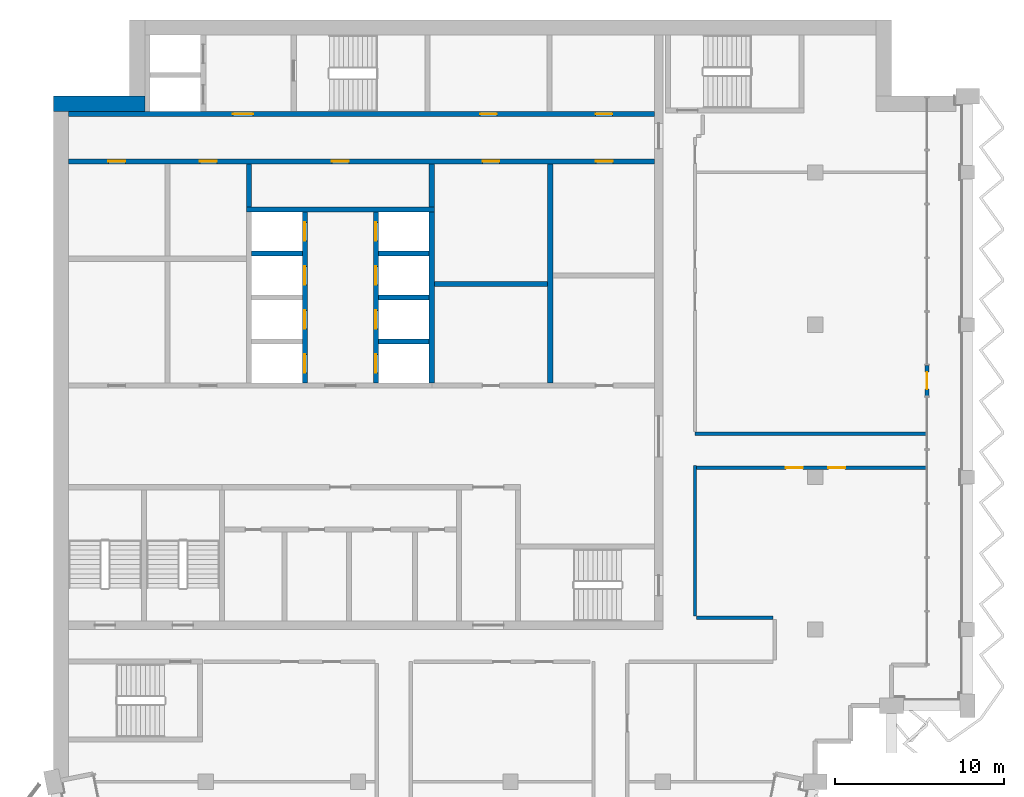
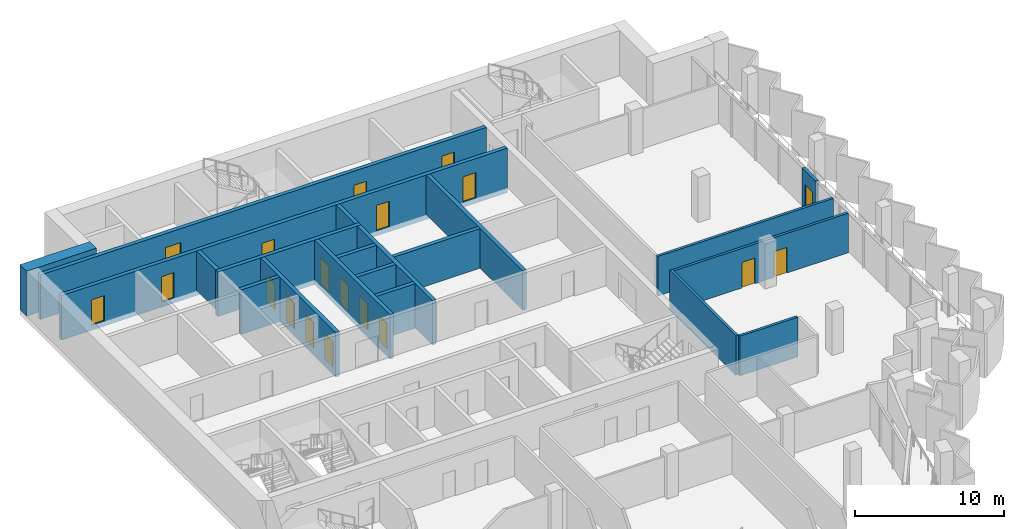
# One storey, part 7 of 13: 20 walls, 19 doors, 19 openings.
"""IFC4 building model written with IfcOpenShell, lengths in metres."""

from ifc_helpers import new_model, si_unit, direction, frame, frame_2d, origin, place, context, subcontext, project, spatial, rectangle, extrude, material, layer, layer_set, type_object, element, fill, save


model = new_model("IFC4")

# Units and contexts
model_context = context("Model", 3, precision=1e-05, world=origin(), true_north=direction((0.0, 1.0)))
body_context = subcontext(model_context, "Body", "Model", "MODEL_VIEW")
ifc_project = project(units=[si_unit("LENGTHUNIT", "METRE"), si_unit("AREAUNIT", "SQUARE_METRE"), si_unit("VOLUMEUNIT", "CUBIC_METRE"), si_unit("PLANEANGLEUNIT", "RADIAN"), si_unit("MASSUNIT", "GRAM", prefix="KILO")], contexts=[model_context])

# Site, building, storey
site_placement = place(None, origin())
site = spatial("IfcSite", under=ifc_project, at=site_placement, CompositionType="ELEMENT")
building_placement = place(site_placement, origin())
building = spatial("IfcBuilding", under=site, at=building_placement, Name="Hunhe Ridgeline Campus", CompositionType="ELEMENT")
storey_placement = place(building_placement, frame((0.0, 0.0, 299.300048828125)))
storey = spatial("IfcBuildingStorey", under=building, at=storey_placement, Name="L77", CompositionType="ELEMENT", Elevation=299.300048828125)

# Walls
ifc_material_1 = material(Name="Masonry concrete blockwork", Category="masonry")
ifc_layer_1 = layer(ifc_material_1, 0.300048828125)
ifc_layer_set_1 = layer_set([ifc_layer_1], Name="Core room partition 300 concrete block")
wall_type_1 = type_object("IfcWallType", Name="Core room partition 300 concrete block", PredefinedType="PARTITIONING", material=ifc_layer_set_1)
wall_1_placement = place(storey_placement, frame((22.5, 83.39990234375, 0.0), z_axis=(0.0, 0.0, 1.0), x_axis=(1.0, 0.0, 0.0)))
element("IfcWall", 1, at=wall_1_placement, inside=storey, type_object=wall_type_1, Name="L77 core partition 14", PredefinedType="PARTITIONING", context=body_context, shape_type="SweptSolid", body=[
    extrude(rectangle(XDim=6.699951171875, YDim=0.300048828125, at=frame_2d((3.35009765625, 0.0))), origin(), (0.0, 0.0, 1.0), 3.25),
])
for number, where, z_axis, x_axis, name in (
    (2, (11.550048828125, 87.949951171875, 0.0), (0.0, 0.0, 1.0), (0.0, 1.0, 0.0), "L77 core partition 31"),
    (3, (22.35009765625, 87.949951171875, 0.0), (0.0, 0.0, 1.0), (0.0, 1.0, 0.0), "L77 core partition 40"),
):
    element("IfcWall", number, at=place(storey_placement, frame(where, z_axis=z_axis, x_axis=x_axis)), inside=storey, type_object=wall_type_1, Name=name, PredefinedType="PARTITIONING", context=body_context, shape_type="SweptSolid", body=[
        extrude(rectangle(XDim=2.550048828125, YDim=0.300048828125, at=frame_2d((1.27490234375, 0.0))), origin(), (0.0, 0.0, 1.0), 3.25),
    ])
wall_2_placement = place(storey_placement, frame((29.35009765625, 77.550048828125, 0.0), z_axis=(0.0, 0.0, 1.0), x_axis=(0.0, 1.0, 0.0)))
element("IfcWall", 4, at=wall_2_placement, inside=storey, type_object=wall_type_1, Name="L77 core partition 45", PredefinedType="PARTITIONING", context=body_context, shape_type="SweptSolid", body=[
    extrude(rectangle(XDim=12.949951171875, YDim=0.300048828125, at=frame_2d((6.47509765625, 0.0))), origin(), (0.0, 0.0, 1.0), 3.25),
])
ifc_material_2 = material(Name="Gypsum board partition")
ifc_layer_2 = layer(ifc_material_2, 0.199951171875)
ifc_layer_set_2 = layer_set([ifc_layer_2], Name="Corridor partition 200 gypsum board on steel studs")
wall_type_2 = type_object("IfcWallType", Name="Corridor partition 200 gypsum board on steel studs", PredefinedType="PARTITIONING", material=ifc_layer_set_2)
wall_3_placement = place(storey_placement, frame((38.0, 63.699951171875, 0.0), z_axis=(0.0, 0.0, 1.0), x_axis=(1.0, 0.0, 0.0)))
element("IfcWall", 5, at=wall_3_placement, inside=storey, type_object=wall_type_2, Name="F-L77-wall-011", PredefinedType="PARTITIONING", context=body_context, shape_type="SweptSolid", body=[
    extrude(rectangle(XDim=4.5, YDim=0.199951171875, at=frame_2d((2.25, 0.0))), origin(), (0.0, 0.0, 1.0), 3.25),
])

# Wall, openings, doors
wall_4_placement = place(storey_placement, frame((51.544921875, 72.550048828125, 0.0), z_axis=(0.0, 0.0, 1.0), x_axis=(-1.0, 0.0, 0.0)))
wall_4 = element("IfcWall", 6, at=wall_4_placement, inside=storey, type_object=wall_type_2, Name="F-L77-wall-012", PredefinedType="PARTITIONING", context=body_context, shape_type="SweptSolid", body=[
    extrude(rectangle(XDim=13.544921875, YDim=0.199951171875, at=frame_2d((6.7724609375, 0.0))), origin(), (0.0, 0.0, 1.0), 3.25),
])
opening_1_placement = place(wall_4_placement, frame((7.2724609375, 0.0, 0.0)))
opening_1 = element("IfcOpeningElement", 7, at=opening_1_placement, cuts=wall_4, Name="Opening RD1-012", PredefinedType="OPENING", context=body_context, shape_type="SweptSolid", body=[
    extrude(rectangle(XDim=1.0, YDim=2.10009765625, at=frame_2d((0.5, 1.050048828125))), frame((0.0, 0.10009765625, 0.0), z_axis=(0.0, -1.0, 0.0), x_axis=(1.0, 0.0, 0.0)), (0.0, 0.0, 1.0), 0.199951171875),
])
opening_2_placement = place(wall_4_placement, frame((4.7724609375, 0.0, 0.0)))
opening_2 = element("IfcOpeningElement", 8, at=opening_2_placement, cuts=wall_4, Name="Opening RD1-013", PredefinedType="OPENING", context=body_context, shape_type="SweptSolid", body=[
    extrude(rectangle(XDim=1.0, YDim=2.10009765625, at=frame_2d((0.5, 1.050048828125))), frame((0.0, 0.10009765625, 0.0), z_axis=(0.0, -1.0, 0.0), x_axis=(1.0, 0.0, 0.0)), (0.0, 0.0, 1.0), 0.199951171875),
])
ifc_material_3 = material(Name="Timber door leaf", Category="wood")
door_type_1 = type_object("IfcDoorType", Name="Single fire door 1000x2100 timber FD60", OperationType="NOTDEFINED", PredefinedType="DOOR", material=ifc_material_3)
door_1_placement = place(opening_1_placement, frame((1.0, 0.0, 0.0), z_axis=(0.0, 0.0, 1.0), x_axis=(-1.0, 0.0, 0.0)))
door_1 = element("IfcDoor", 9, at=door_1_placement, inside=storey, type_object=door_type_1, Name="F-L77-door-012", OperationType="SINGLE_SWING_LEFT", OverallHeight=2.10009765625, OverallWidth=1.0, PredefinedType="DOOR", context=body_context, shape_type="SweptSolid", body=[
    extrude(rectangle(XDim=1.0, YDim=2.10009765625, at=frame_2d((0.5, 1.050048828125))), frame((0.0, 0.02490234375, 0.0), z_axis=(0.0, -1.0, 0.0), x_axis=(1.0, 0.0, 0.0)), (0.0, 0.0, 1.0), 0.050048828125),
])
fill(opening_1, door_1)
door_2_placement = place(opening_2_placement, frame((1.0, 0.0, 0.0), z_axis=(0.0, 0.0, 1.0), x_axis=(-1.0, 0.0, 0.0)))
door_2 = element("IfcDoor", 10, at=door_2_placement, inside=storey, type_object=door_type_1, Name="F-L77-door-013", OperationType="SINGLE_SWING_RIGHT", OverallHeight=2.10009765625, OverallWidth=1.0, PredefinedType="DOOR", context=body_context, shape_type="SweptSolid", body=[
    extrude(rectangle(XDim=1.0, YDim=2.10009765625, at=frame_2d((0.5, 1.050048828125))), frame((0.0, 0.02490234375, 0.0), z_axis=(0.0, -1.0, 0.0), x_axis=(1.0, 0.0, 0.0)), (0.0, 0.0, 1.0), 0.050048828125),
])
fill(opening_2, door_2)

# Walls
wall_5_placement = place(storey_placement, frame((37.89990234375, 74.550048828125, 0.0), z_axis=(0.0, 0.0, 1.0), x_axis=(1.0, 0.0, 0.0)))
element("IfcWall", 11, at=wall_5_placement, inside=storey, type_object=wall_type_2, Name="F-L77-wall-013", PredefinedType="PARTITIONING", context=body_context, shape_type="SweptSolid", body=[
    extrude(rectangle(XDim=13.64501953125, YDim=0.199951171875, at=frame_2d((6.822509765625, 0.0))), origin(), (0.0, 0.0, 1.0), 3.25),
])
wall_6_placement = place(storey_placement, frame((37.89990234375, 72.684326171875, 0.0), z_axis=(0.0, 0.0, 1.0), x_axis=(0.0, -1.0, 0.0)))
element("IfcWall", 12, at=wall_6_placement, inside=storey, type_object=wall_type_2, Name="F-L77-wall-022", PredefinedType="PARTITIONING", context=body_context, shape_type="SweptSolid", body=[
    extrude(rectangle(XDim=8.88427734375, YDim=0.199951171875, at=frame_2d((4.442138671875, 0.0))), origin(), (0.0, 0.0, 1.0), 3.25),
])

# Wall, openings, doors
ifc_material_4 = material(Name="Concrete C50", Category="concrete")
ifc_layer_3 = layer(ifc_material_4, 0.300048828125)
ifc_layer_set_3 = layer_set([ifc_layer_3], Name="Lobby wall 300 reinforced concrete C50")
wall_type_3 = type_object("IfcWallType", Name="Lobby wall 300 reinforced concrete C50", PredefinedType="SOLIDWALL", material=ifc_layer_set_3)
wall_7_placement = place(storey_placement, frame((0.89990234375, 90.64990234375, -0.400146484375), z_axis=(0.0, 0.0, 1.0), x_axis=(1.0, 0.0, 0.0)))
wall_7 = element("IfcWall", 13, at=wall_7_placement, inside=storey, type_object=wall_type_3, Name="L77 core wall 20", PredefinedType="SOLIDWALL", context=body_context, shape_type="SweptSolid", body=[
    extrude(rectangle(XDim=34.60009765625, YDim=0.300048828125, at=frame_2d((17.300048828125, 0.0))), origin(), (0.0, 0.0, 1.0), 3.650146484375),
])
opening_3_placement = place(wall_7_placement, frame((15.550048828125, 0.0, 0.39990234375)))
opening_3 = element("IfcOpeningElement", 14, at=opening_3_placement, cuts=wall_7, Name="Opening CD26", PredefinedType="OPENING", context=body_context, shape_type="SweptSolid", body=[
    extrude(rectangle(XDim=1.0, YDim=2.10009765625, at=frame_2d((0.5, 1.050048828125))), frame((0.0, 0.14990234375, 0.0), z_axis=(0.0, -1.0, 0.0), x_axis=(1.0, 0.0, 0.0)), (0.0, 0.0, 1.0), 0.300048828125),
])
opening_4_placement = place(wall_7_placement, frame((2.35009765625, 0.0, 0.39990234375)))
opening_4 = element("IfcOpeningElement", 15, at=opening_4_placement, cuts=wall_7, Name="Opening CD40", PredefinedType="OPENING", context=body_context, shape_type="SweptSolid", body=[
    extrude(rectangle(XDim=1.0, YDim=2.10009765625, at=frame_2d((0.5, 1.050048828125))), frame((0.0, 0.14990234375, 0.0), z_axis=(0.0, -1.0, 0.0), x_axis=(1.0, 0.0, 0.0)), (0.0, 0.0, 1.0), 0.300048828125),
])
opening_5_placement = place(wall_7_placement, frame((7.75, 0.0, 0.39990234375)))
opening_5 = element("IfcOpeningElement", 16, at=opening_5_placement, cuts=wall_7, Name="Opening CD43", PredefinedType="OPENING", context=body_context, shape_type="SweptSolid", body=[
    extrude(rectangle(XDim=1.0, YDim=2.10009765625, at=frame_2d((0.5, 1.050048828125))), frame((0.0, 0.14990234375, 0.0), z_axis=(0.0, -1.0, 0.0), x_axis=(1.0, 0.0, 0.0)), (0.0, 0.0, 1.0), 0.300048828125),
])
opening_6_placement = place(wall_7_placement, frame((24.449951171875, 0.0, 0.39990234375)))
opening_6 = element("IfcOpeningElement", 17, at=opening_6_placement, cuts=wall_7, Name="Opening CD33", PredefinedType="OPENING", context=body_context, shape_type="SweptSolid", body=[
    extrude(rectangle(XDim=1.0, YDim=2.10009765625, at=frame_2d((0.5, 1.050048828125))), frame((0.0, 0.14990234375, 0.0), z_axis=(0.0, -1.0, 0.0), x_axis=(1.0, 0.0, 0.0)), (0.0, 0.0, 1.0), 0.300048828125),
])
opening_7_placement = place(wall_7_placement, frame((31.14990234375, 0.0, 0.39990234375)))
opening_7 = element("IfcOpeningElement", 18, at=opening_7_placement, cuts=wall_7, Name="Opening CD44", PredefinedType="OPENING", context=body_context, shape_type="SweptSolid", body=[
    extrude(rectangle(XDim=1.0, YDim=2.10009765625, at=frame_2d((0.5, 1.050048828125))), frame((0.0, 0.14990234375, 0.0), z_axis=(0.0, -1.0, 0.0), x_axis=(1.0, 0.0, 0.0)), (0.0, 0.0, 1.0), 0.300048828125),
])
ifc_material_5 = material(Name="Solid core timber door leaf", Category="wood")
door_type_2 = type_object("IfcDoorType", Name="Timber door 1000x2100", OperationType="SINGLE_SWING_LEFT", PredefinedType="DOOR", material=ifc_material_5)
door_3_placement = place(opening_3_placement, frame((1.0, 0.0, 0.0), z_axis=(0.0, 0.0, 1.0), x_axis=(-1.0, 0.0, 0.0)))
door_3 = element("IfcDoor", 19, at=door_3_placement, inside=storey, type_object=door_type_2, Name="L77 door NR-0", OperationType="SINGLE_SWING_LEFT", OverallHeight=2.10009765625, OverallWidth=1.0, PredefinedType="DOOR", context=body_context, shape_type="SweptSolid", body=[
    extrude(rectangle(XDim=1.0, YDim=2.10009765625, at=frame_2d((0.5, 1.050048828125))), frame((0.0, 0.02490234375, 0.0), z_axis=(0.0, -1.0, 0.0), x_axis=(1.0, 0.0, 0.0)), (0.0, 0.0, 1.0), 0.050048828125),
])
fill(opening_3, door_3)
door_4_placement = place(opening_4_placement, frame((1.0, 0.0, 0.0), z_axis=(0.0, 0.0, 1.0), x_axis=(-1.0, 0.0, 0.0)))
door_4 = element("IfcDoor", 20, at=door_4_placement, inside=storey, type_object=door_type_2, Name="L77 door VD-LR1", OperationType="SINGLE_SWING_LEFT", OverallHeight=2.10009765625, OverallWidth=1.0, PredefinedType="DOOR", context=body_context, shape_type="SweptSolid", body=[
    extrude(rectangle(XDim=1.0, YDim=2.10009765625, at=frame_2d((0.5, 1.050048828125))), frame((0.0, 0.02490234375, 0.0), z_axis=(0.0, -1.0, 0.0), x_axis=(1.0, 0.0, 0.0)), (0.0, 0.0, 1.0), 0.050048828125),
])
fill(opening_4, door_4)
door_5_placement = place(opening_5_placement, frame((1.0, 0.0, 0.0), z_axis=(0.0, 0.0, 1.0), x_axis=(-1.0, 0.0, 0.0)))
door_5 = element("IfcDoor", 21, at=door_5_placement, inside=storey, type_object=door_type_2, Name="L77 door VD-LR3", OperationType="SINGLE_SWING_LEFT", OverallHeight=2.10009765625, OverallWidth=1.0, PredefinedType="DOOR", context=body_context, shape_type="SweptSolid", body=[
    extrude(rectangle(XDim=1.0, YDim=2.10009765625, at=frame_2d((0.5, 1.050048828125))), frame((0.0, 0.02490234375, 0.0), z_axis=(0.0, -1.0, 0.0), x_axis=(1.0, 0.0, 0.0)), (0.0, 0.0, 1.0), 0.050048828125),
])
fill(opening_5, door_5)
door_6_placement = place(opening_6_placement, frame((1.0, 0.0, 0.0), z_axis=(0.0, 0.0, 1.0), x_axis=(-1.0, 0.0, 0.0)))
door_6 = element("IfcDoor", 22, at=door_6_placement, inside=storey, type_object=door_type_2, Name="L77 door ES1", OperationType="SINGLE_SWING_RIGHT", OverallHeight=2.10009765625, OverallWidth=1.0, PredefinedType="DOOR", context=body_context, shape_type="SweptSolid", body=[
    extrude(rectangle(XDim=1.0, YDim=2.10009765625, at=frame_2d((0.5, 1.050048828125))), frame((0.0, 0.02490234375, 0.0), z_axis=(0.0, -1.0, 0.0), x_axis=(1.0, 0.0, 0.0)), (0.0, 0.0, 1.0), 0.050048828125),
])
fill(opening_6, door_6)
door_7_placement = place(opening_7_placement, frame((1.0, 0.0, 0.0), z_axis=(0.0, 0.0, 1.0), x_axis=(-1.0, 0.0, 0.0)))
door_7 = element("IfcDoor", 23, at=door_7_placement, inside=storey, type_object=door_type_2, Name="L77 door ES3", OperationType="SINGLE_SWING_RIGHT", OverallHeight=2.10009765625, OverallWidth=1.0, PredefinedType="DOOR", context=body_context, shape_type="SweptSolid", body=[
    extrude(rectangle(XDim=1.0, YDim=2.10009765625, at=frame_2d((0.5, 1.050048828125))), frame((0.0, 0.02490234375, 0.0), z_axis=(0.0, -1.0, 0.0), x_axis=(1.0, 0.0, 0.0)), (0.0, 0.0, 1.0), 0.050048828125),
])
fill(opening_7, door_7)

# Wall, opening, door
ifc_material_6 = material(Name="Concrete C30", Category="concrete")
ifc_layer_4 = layer(ifc_material_6, 0.25)
ifc_layer_set_4 = layer_set([ifc_layer_4], Name="Loggia door pier wall 250 Concrete C30")
wall_type_4 = type_object("IfcWallType", Name="Loggia door pier wall 250 Concrete C30", PredefinedType="SOLIDWALL", material=ifc_layer_set_4)
wall_8_placement = place(storey_placement, frame((51.59912109375, 76.800537109375, 0.0), z_axis=(0.0, 0.0, 1.0), x_axis=(0.0, 1.0, 0.0)))
wall_8 = element("IfcWall", 24, at=wall_8_placement, inside=storey, type_object=wall_type_4, Name="Loggia door pier 5", PredefinedType="SOLIDWALL", context=body_context, shape_type="SweptSolid", body=[
    extrude(rectangle(XDim=1.800048828125, YDim=0.25, at=frame_2d((0.89990234375, 0.0))), origin(), (0.0, 0.0, 1.0), 3.25),
])
opening_8_placement = place(wall_8_placement, frame((0.39990234375, 0.0, 0.0)))
opening_8 = element("IfcOpeningElement", 25, at=opening_8_placement, cuts=wall_8, Name="Opening BD605", PredefinedType="OPENING", context=body_context, shape_type="SweptSolid", body=[
    extrude(rectangle(XDim=1.0, YDim=2.10009765625, at=frame_2d((0.5, 1.050048828125))), frame((0.0, 0.125, 0.0), z_axis=(0.0, -1.0, 0.0), x_axis=(1.0, 0.0, 0.0)), (0.0, 0.0, 1.0), 0.25),
])
ifc_material_7 = material(Name="Aluminium 6063", Category="aluminium")
door_type_3 = type_object("IfcDoorType", Name="Loggia glazed door 1000x2100", OperationType="NOTDEFINED", PredefinedType="DOOR", material=ifc_material_7)
door_8_placement = place(opening_8_placement, frame((1.0, 0.0, 0.0), z_axis=(0.0, 0.0, 1.0), x_axis=(-1.0, 0.0, 0.0)))
door_8 = element("IfcDoor", 26, at=door_8_placement, inside=storey, type_object=door_type_3, Name="Loggia door BD605", OperationType="SINGLE_SWING_RIGHT", OverallHeight=2.10009765625, OverallWidth=1.0, PredefinedType="DOOR", context=body_context, shape_type="SweptSolid", body=[
    extrude(rectangle(XDim=1.0, YDim=2.10009765625, at=frame_2d((0.5, 1.050048828125))), frame((0.0, 0.02490234375, 0.0), z_axis=(0.0, -1.0, 0.0), x_axis=(1.0, 0.0, 0.0)), (0.0, 0.0, 1.0), 0.050048828125),
])
fill(opening_8, door_8)

# Walls
ifc_layer_5 = layer(ifc_material_4, 0.300048828125)
ifc_layer_set_5 = layer_set([ifc_layer_5], Name="Shaft wall 300 reinforced concrete C50")
wall_type_5 = type_object("IfcWallType", Name="Shaft wall 300 reinforced concrete C50", PredefinedType="SOLIDWALL", material=ifc_layer_set_5)
for number, where, z_axis, x_axis, name in (
    (27, (19.199951171875, 80.0, -0.400146484375), (0.0, 0.0, 1.0), (1.0, 0.0, 0.0), "L77 core wall 11"),
    (28, (19.199951171875, 82.60009765625, -0.400146484375), (0.0, 0.0, 1.0), (1.0, 0.0, 0.0), "L77 core wall 13"),
    (29, (11.699951171875, 85.199951171875, -0.400146484375), (0.0, 0.0, 1.0), (1.0, 0.0, 0.0), "L77 core wall 17"),
    (30, (19.199951171875, 85.199951171875, -0.400146484375), (0.0, 0.0, 1.0), (1.0, 0.0, 0.0), "L77 core wall 18"),
):
    element("IfcWall", number, at=place(storey_placement, frame(where, z_axis=z_axis, x_axis=x_axis)), inside=storey, type_object=wall_type_5, Name=name, PredefinedType="SOLIDWALL", context=body_context, shape_type="SweptSolid", body=[
        extrude(rectangle(XDim=3.0, YDim=0.300048828125, at=frame_2d((1.5, 0.0))), origin(), (0.0, 0.0, 1.0), 3.650146484375),
    ])
wall_9_placement = place(storey_placement, frame((11.39990234375, 87.800048828125, -0.400146484375), z_axis=(0.0, 0.0, 1.0), x_axis=(1.0, 0.0, 0.0)))
element("IfcWall", 31, at=wall_9_placement, inside=storey, type_object=wall_type_5, Name="L77 core wall 19", PredefinedType="SOLIDWALL", context=body_context, shape_type="SweptSolid", body=[
    extrude(rectangle(XDim=11.10009765625, YDim=0.300048828125, at=frame_2d((5.550048828125, 0.0))), origin(), (0.0, 0.0, 1.0), 3.650146484375),
])

# Wall, openings, doors
wall_10_placement = place(storey_placement, frame((0.89990234375, 93.449951171875, -0.400146484375), z_axis=(0.0, 0.0, 1.0), x_axis=(1.0, 0.0, 0.0)))
wall_10 = element("IfcWall", 32, at=wall_10_placement, inside=storey, type_object=wall_type_5, Name="L77 core wall 21", PredefinedType="SOLIDWALL", context=body_context, shape_type="SweptSolid", body=[
    extrude(rectangle(XDim=34.60009765625, YDim=0.300048828125, at=frame_2d((17.300048828125, 0.0))), origin(), (0.0, 0.0, 1.0), 3.650146484375),
])
opening_9_placement = place(wall_10_placement, frame((9.699951171875, 0.0, 0.39990234375)))
opening_9 = element("IfcOpeningElement", 33, at=opening_9_placement, cuts=wall_10, Name="Opening CD3", PredefinedType="OPENING", context=body_context, shape_type="SweptSolid", body=[
    extrude(rectangle(XDim=1.199951171875, YDim=2.10009765625, at=frame_2d((0.60009765625, 1.050048828125))), frame((0.0, 0.14990234375, 0.0), z_axis=(0.0, -1.0, 0.0), x_axis=(1.0, 0.0, 0.0)), (0.0, 0.0, 1.0), 0.300048828125),
])
opening_10_placement = place(wall_10_placement, frame((24.300048828125, 0.0, 0.39990234375)))
opening_10 = element("IfcOpeningElement", 34, at=opening_10_placement, cuts=wall_10, Name="Opening CD34", PredefinedType="OPENING", context=body_context, shape_type="SweptSolid", body=[
    extrude(rectangle(XDim=1.0, YDim=2.10009765625, at=frame_2d((0.5, 1.050048828125))), frame((0.0, 0.14990234375, 0.0), z_axis=(0.0, -1.0, 0.0), x_axis=(1.0, 0.0, 0.0)), (0.0, 0.0, 1.0), 0.300048828125),
])
opening_11_placement = place(wall_10_placement, frame((31.125, 0.0, 0.39990234375)))
opening_11 = element("IfcOpeningElement", 35, at=opening_11_placement, cuts=wall_10, Name="Opening CD35", PredefinedType="OPENING", context=body_context, shape_type="SweptSolid", body=[
    extrude(rectangle(XDim=1.0, YDim=2.10009765625, at=frame_2d((0.5, 1.050048828125))), frame((0.0, 0.14990234375, 0.0), z_axis=(0.0, -1.0, 0.0), x_axis=(1.0, 0.0, 0.0)), (0.0, 0.0, 1.0), 0.300048828125),
])
ifc_material_8 = material(Name="Hollow metal fire door leaf")
door_type_4 = type_object("IfcDoorType", Name="Lobby door 1200x2100 FD60", OperationType="SINGLE_SWING_LEFT", PredefinedType="DOOR", material=ifc_material_8)
door_9_placement = place(opening_9_placement, frame((1.199951171875, 0.0, 0.0), z_axis=(0.0, 0.0, 1.0), x_axis=(-1.0, 0.0, 0.0)))
door_9 = element("IfcDoor", 36, at=door_9_placement, inside=storey, type_object=door_type_4, Name="L77 door FF-C1", OperationType="SINGLE_SWING_RIGHT", OverallHeight=2.10009765625, OverallWidth=1.199951171875, PredefinedType="DOOR", context=body_context, shape_type="SweptSolid", body=[
    extrude(rectangle(XDim=1.199951171875, YDim=2.10009765625, at=frame_2d((0.60009765625, 1.050048828125))), frame((0.0, 0.02490234375, 0.0), z_axis=(0.0, -1.0, 0.0), x_axis=(1.0, 0.0, 0.0)), (0.0, 0.0, 1.0), 0.050048828125),
])
fill(opening_9, door_9)
door_10_placement = place(opening_10_placement, origin())
door_10 = element("IfcDoor", 37, at=door_10_placement, inside=storey, type_object=door_type_2, Name="L77 door NB0", OperationType="SINGLE_SWING_RIGHT", OverallHeight=2.10009765625, OverallWidth=1.0, PredefinedType="DOOR", context=body_context, shape_type="SweptSolid", body=[
    extrude(rectangle(XDim=1.0, YDim=2.10009765625, at=frame_2d((0.5, 1.050048828125))), frame((0.0, 0.02490234375, 0.0), z_axis=(0.0, -1.0, 0.0), x_axis=(1.0, 0.0, 0.0)), (0.0, 0.0, 1.0), 0.050048828125),
])
fill(opening_10, door_10)
door_11_placement = place(opening_11_placement, origin())
door_11 = element("IfcDoor", 38, at=door_11_placement, inside=storey, type_object=door_type_2, Name="L77 door NB1", OperationType="SINGLE_SWING_LEFT", OverallHeight=2.10009765625, OverallWidth=1.0, PredefinedType="DOOR", context=body_context, shape_type="SweptSolid", body=[
    extrude(rectangle(XDim=1.0, YDim=2.10009765625, at=frame_2d((0.5, 1.050048828125))), frame((0.0, 0.02490234375, 0.0), z_axis=(0.0, -1.0, 0.0), x_axis=(1.0, 0.0, 0.0)), (0.0, 0.0, 1.0), 0.050048828125),
])
fill(opening_11, door_11)

wall_11_placement = place(storey_placement, frame((14.85009765625, 77.550048828125, -0.400146484375), z_axis=(0.0, 0.0, 1.0), x_axis=(0.0, 1.0, 0.0)))
wall_11 = element("IfcWall", 39, at=wall_11_placement, inside=storey, type_object=wall_type_5, Name="L77 core wall 34", PredefinedType="SOLIDWALL", context=body_context, shape_type="SweptSolid", body=[
    extrude(rectangle(XDim=10.099853515625, YDim=0.300048828125, at=frame_2d((5.0498046875, 0.0))), origin(), (0.0, 0.0, 1.0), 3.650146484375),
])
opening_12_placement = place(wall_11_placement, frame((0.60009765625, 0.0, 0.39990234375)))
opening_12 = element("IfcOpeningElement", 40, at=opening_12_placement, cuts=wall_11, Name="Opening LD-HR1", PredefinedType="OPENING", context=body_context, shape_type="SweptSolid", body=[
    extrude(rectangle(XDim=1.10009765625, YDim=2.10009765625, at=frame_2d((0.550048828125, 1.050048828125))), frame((0.0, 0.14990234375, 0.0), z_axis=(0.0, -1.0, 0.0), x_axis=(1.0, 0.0, 0.0)), (0.0, 0.0, 1.0), 0.300048828125),
])
opening_13_placement = place(wall_11_placement, frame((3.199951171875, 0.0, 0.39990234375)))
opening_13 = element("IfcOpeningElement", 41, at=opening_13_placement, cuts=wall_11, Name="Opening LD-HR2", PredefinedType="OPENING", context=body_context, shape_type="SweptSolid", body=[
    extrude(rectangle(XDim=1.10009765625, YDim=2.10009765625, at=frame_2d((0.550048828125, 1.050048828125))), frame((0.0, 0.14990234375, 0.0), z_axis=(0.0, -1.0, 0.0), x_axis=(1.0, 0.0, 0.0)), (0.0, 0.0, 1.0), 0.300048828125),
])
opening_14_placement = place(wall_11_placement, frame((5.800048828125, 0.0, 0.39990234375)))
opening_14 = element("IfcOpeningElement", 42, at=opening_14_placement, cuts=wall_11, Name="Opening LD-HR3", PredefinedType="OPENING", context=body_context, shape_type="SweptSolid", body=[
    extrude(rectangle(XDim=1.10009765625, YDim=2.10009765625, at=frame_2d((0.550048828125, 1.050048828125))), frame((0.0, 0.14990234375, 0.0), z_axis=(0.0, -1.0, 0.0), x_axis=(1.0, 0.0, 0.0)), (0.0, 0.0, 1.0), 0.300048828125),
])
opening_15_placement = place(wall_11_placement, frame((8.39990234375, 0.0, 0.39990234375)))
opening_15 = element("IfcOpeningElement", 43, at=opening_15_placement, cuts=wall_11, Name="Opening LD-HR4", PredefinedType="OPENING", context=body_context, shape_type="SweptSolid", body=[
    extrude(rectangle(XDim=1.10009765625, YDim=2.10009765625, at=frame_2d((0.550048828125, 1.050048828125))), frame((0.0, 0.14990234375, 0.0), z_axis=(0.0, -1.0, 0.0), x_axis=(1.0, 0.0, 0.0)), (0.0, 0.0, 1.0), 0.300048828125),
])
ifc_material_9 = material(Name="Stainless steel sliding leaves", Category="steel")
door_type_5 = type_object("IfcDoorType", Name="Landing door 1100x2100 FD120", OperationType="SLIDING_TO_LEFT", PredefinedType="DOOR", material=ifc_material_9)
door_12_placement = place(opening_12_placement, origin())
door_12 = element("IfcDoor", 44, at=door_12_placement, inside=storey, type_object=door_type_5, Name="L77 landing door HR1", OperationType="SLIDING_TO_RIGHT", OverallHeight=2.10009765625, OverallWidth=1.10009765625, PredefinedType="DOOR", context=body_context, shape_type="SweptSolid", body=[
    extrude(rectangle(XDim=1.10009765625, YDim=2.10009765625, at=frame_2d((0.550048828125, 1.050048828125))), frame((0.0, 0.02490234375, 0.0), z_axis=(0.0, -1.0, 0.0), x_axis=(1.0, 0.0, 0.0)), (0.0, 0.0, 1.0), 0.050048828125),
])
fill(opening_12, door_12)
door_13_placement = place(opening_13_placement, origin())
door_13 = element("IfcDoor", 45, at=door_13_placement, inside=storey, type_object=door_type_5, Name="L77 landing door HR2", OperationType="SLIDING_TO_LEFT", OverallHeight=2.10009765625, OverallWidth=1.10009765625, PredefinedType="DOOR", context=body_context, shape_type="SweptSolid", body=[
    extrude(rectangle(XDim=1.10009765625, YDim=2.10009765625, at=frame_2d((0.550048828125, 1.050048828125))), frame((0.0, 0.02490234375, 0.0), z_axis=(0.0, -1.0, 0.0), x_axis=(1.0, 0.0, 0.0)), (0.0, 0.0, 1.0), 0.050048828125),
])
fill(opening_13, door_13)
door_14_placement = place(opening_14_placement, origin())
door_14 = element("IfcDoor", 46, at=door_14_placement, inside=storey, type_object=door_type_5, Name="L77 landing door HR3", OperationType="SLIDING_TO_RIGHT", OverallHeight=2.10009765625, OverallWidth=1.10009765625, PredefinedType="DOOR", context=body_context, shape_type="SweptSolid", body=[
    extrude(rectangle(XDim=1.10009765625, YDim=2.10009765625, at=frame_2d((0.550048828125, 1.050048828125))), frame((0.0, 0.02490234375, 0.0), z_axis=(0.0, -1.0, 0.0), x_axis=(1.0, 0.0, 0.0)), (0.0, 0.0, 1.0), 0.050048828125),
])
fill(opening_14, door_14)
door_15_placement = place(opening_15_placement, origin())
door_15 = element("IfcDoor", 47, at=door_15_placement, inside=storey, type_object=door_type_5, Name="L77 landing door HR4", OperationType="SLIDING_TO_LEFT", OverallHeight=2.10009765625, OverallWidth=1.10009765625, PredefinedType="DOOR", context=body_context, shape_type="SweptSolid", body=[
    extrude(rectangle(XDim=1.10009765625, YDim=2.10009765625, at=frame_2d((0.550048828125, 1.050048828125))), frame((0.0, 0.02490234375, 0.0), z_axis=(0.0, -1.0, 0.0), x_axis=(1.0, 0.0, 0.0)), (0.0, 0.0, 1.0), 0.050048828125),
])
fill(opening_15, door_15)

wall_12_placement = place(storey_placement, frame((19.050048828125, 77.550048828125, -0.400146484375), z_axis=(0.0, 0.0, 1.0), x_axis=(0.0, 1.0, 0.0)))
wall_12 = element("IfcWall", 48, at=wall_12_placement, inside=storey, type_object=wall_type_5, Name="L77 core wall 36", PredefinedType="SOLIDWALL", context=body_context, shape_type="SweptSolid", body=[
    extrude(rectangle(XDim=10.099853515625, YDim=0.300048828125, at=frame_2d((5.0498046875, 0.0))), origin(), (0.0, 0.0, 1.0), 3.650146484375),
])
opening_16_placement = place(wall_12_placement, frame((0.60009765625, 0.0, 0.39990234375)))
opening_16 = element("IfcOpeningElement", 49, at=opening_16_placement, cuts=wall_12, Name="Opening LD-HR5", PredefinedType="OPENING", context=body_context, shape_type="SweptSolid", body=[
    extrude(rectangle(XDim=1.10009765625, YDim=2.10009765625, at=frame_2d((0.550048828125, 1.050048828125))), frame((0.0, 0.14990234375, 0.0), z_axis=(0.0, -1.0, 0.0), x_axis=(1.0, 0.0, 0.0)), (0.0, 0.0, 1.0), 0.300048828125),
])
opening_17_placement = place(wall_12_placement, frame((3.199951171875, 0.0, 0.39990234375)))
opening_17 = element("IfcOpeningElement", 50, at=opening_17_placement, cuts=wall_12, Name="Opening LD-HR6", PredefinedType="OPENING", context=body_context, shape_type="SweptSolid", body=[
    extrude(rectangle(XDim=1.10009765625, YDim=2.10009765625, at=frame_2d((0.550048828125, 1.050048828125))), frame((0.0, 0.14990234375, 0.0), z_axis=(0.0, -1.0, 0.0), x_axis=(1.0, 0.0, 0.0)), (0.0, 0.0, 1.0), 0.300048828125),
])
opening_18_placement = place(wall_12_placement, frame((5.800048828125, 0.0, 0.39990234375)))
opening_18 = element("IfcOpeningElement", 51, at=opening_18_placement, cuts=wall_12, Name="Opening LD-HR7", PredefinedType="OPENING", context=body_context, shape_type="SweptSolid", body=[
    extrude(rectangle(XDim=1.10009765625, YDim=2.10009765625, at=frame_2d((0.550048828125, 1.050048828125))), frame((0.0, 0.14990234375, 0.0), z_axis=(0.0, -1.0, 0.0), x_axis=(1.0, 0.0, 0.0)), (0.0, 0.0, 1.0), 0.300048828125),
])
opening_19_placement = place(wall_12_placement, frame((8.39990234375, 0.0, 0.39990234375)))
opening_19 = element("IfcOpeningElement", 52, at=opening_19_placement, cuts=wall_12, Name="Opening LD-HR8", PredefinedType="OPENING", context=body_context, shape_type="SweptSolid", body=[
    extrude(rectangle(XDim=1.10009765625, YDim=2.10009765625, at=frame_2d((0.550048828125, 1.050048828125))), frame((0.0, 0.14990234375, 0.0), z_axis=(0.0, -1.0, 0.0), x_axis=(1.0, 0.0, 0.0)), (0.0, 0.0, 1.0), 0.300048828125),
])
door_16_placement = place(opening_16_placement, origin())
door_16 = element("IfcDoor", 53, at=door_16_placement, inside=storey, type_object=door_type_5, Name="L77 landing door HR5", OperationType="SLIDING_TO_RIGHT", OverallHeight=2.10009765625, OverallWidth=1.10009765625, PredefinedType="DOOR", context=body_context, shape_type="SweptSolid", body=[
    extrude(rectangle(XDim=1.10009765625, YDim=2.10009765625, at=frame_2d((0.550048828125, 1.050048828125))), frame((0.0, 0.02490234375, 0.0), z_axis=(0.0, -1.0, 0.0), x_axis=(1.0, 0.0, 0.0)), (0.0, 0.0, 1.0), 0.050048828125),
])
fill(opening_16, door_16)
door_17_placement = place(opening_17_placement, origin())
door_17 = element("IfcDoor", 54, at=door_17_placement, inside=storey, type_object=door_type_5, Name="L77 landing door HR6", OperationType="SLIDING_TO_LEFT", OverallHeight=2.10009765625, OverallWidth=1.10009765625, PredefinedType="DOOR", context=body_context, shape_type="SweptSolid", body=[
    extrude(rectangle(XDim=1.10009765625, YDim=2.10009765625, at=frame_2d((0.550048828125, 1.050048828125))), frame((0.0, 0.02490234375, 0.0), z_axis=(0.0, -1.0, 0.0), x_axis=(1.0, 0.0, 0.0)), (0.0, 0.0, 1.0), 0.050048828125),
])
fill(opening_17, door_17)
door_18_placement = place(opening_18_placement, origin())
door_18 = element("IfcDoor", 55, at=door_18_placement, inside=storey, type_object=door_type_5, Name="L77 landing door HR7", OperationType="SLIDING_TO_RIGHT", OverallHeight=2.10009765625, OverallWidth=1.10009765625, PredefinedType="DOOR", context=body_context, shape_type="SweptSolid", body=[
    extrude(rectangle(XDim=1.10009765625, YDim=2.10009765625, at=frame_2d((0.550048828125, 1.050048828125))), frame((0.0, 0.02490234375, 0.0), z_axis=(0.0, -1.0, 0.0), x_axis=(1.0, 0.0, 0.0)), (0.0, 0.0, 1.0), 0.050048828125),
])
fill(opening_18, door_18)
door_19_placement = place(opening_19_placement, origin())
door_19 = element("IfcDoor", 56, at=door_19_placement, inside=storey, type_object=door_type_5, Name="L77 landing door HR8", OperationType="SLIDING_TO_LEFT", OverallHeight=2.10009765625, OverallWidth=1.10009765625, PredefinedType="DOOR", context=body_context, shape_type="SweptSolid", body=[
    extrude(rectangle(XDim=1.10009765625, YDim=2.10009765625, at=frame_2d((0.550048828125, 1.050048828125))), frame((0.0, 0.02490234375, 0.0), z_axis=(0.0, -1.0, 0.0), x_axis=(1.0, 0.0, 0.0)), (0.0, 0.0, 1.0), 0.050048828125),
])
fill(opening_19, door_19)

# Walls
wall_13_placement = place(storey_placement, frame((22.35009765625, 77.550048828125, -0.400146484375), z_axis=(0.0, 0.0, 1.0), x_axis=(0.0, 1.0, 0.0)))
element("IfcWall", 57, at=wall_13_placement, inside=storey, type_object=wall_type_5, Name="L77 core wall 39", PredefinedType="SOLIDWALL", context=body_context, shape_type="SweptSolid", body=[
    extrude(rectangle(XDim=10.099853515625, YDim=0.300048828125, at=frame_2d((5.0498046875, 0.0))), origin(), (0.0, 0.0, 1.0), 3.650146484375),
])
ifc_layer_6 = layer(ifc_material_4, 0.89990234375)
ifc_layer_set_6 = layer_set([ifc_layer_6], Name="Spine wall 900 Concrete C50")
wall_type_6 = type_object("IfcWallType", Name="Spine wall 900 Concrete C50", PredefinedType="SHEAR", material=ifc_layer_set_6)
wall_14_placement = place(storey_placement, frame((5.400146484375, 94.050048828125, 0.0), z_axis=(0.0, 0.0, 1.0), x_axis=(-1.0, 0.0, 0.0)))
element("IfcWall", 58, at=wall_14_placement, inside=storey, type_object=wall_type_6, Name="Spine wall SW4-6 L77", PredefinedType="SHEAR", context=body_context, shape_type="SweptSolid", body=[
    extrude(rectangle(XDim=5.400146484375, YDim=0.89990234375, at=frame_2d((2.7001953125, 0.0))), origin(), (0.0, 0.0, 1.0), 3.699951171875),
])

save(model, "model.ifc")
